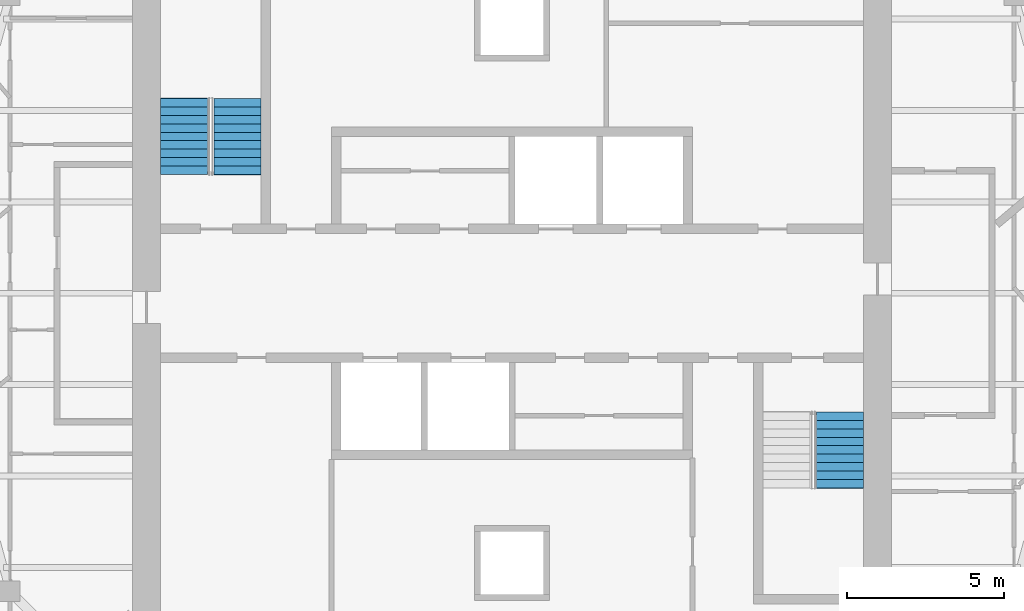
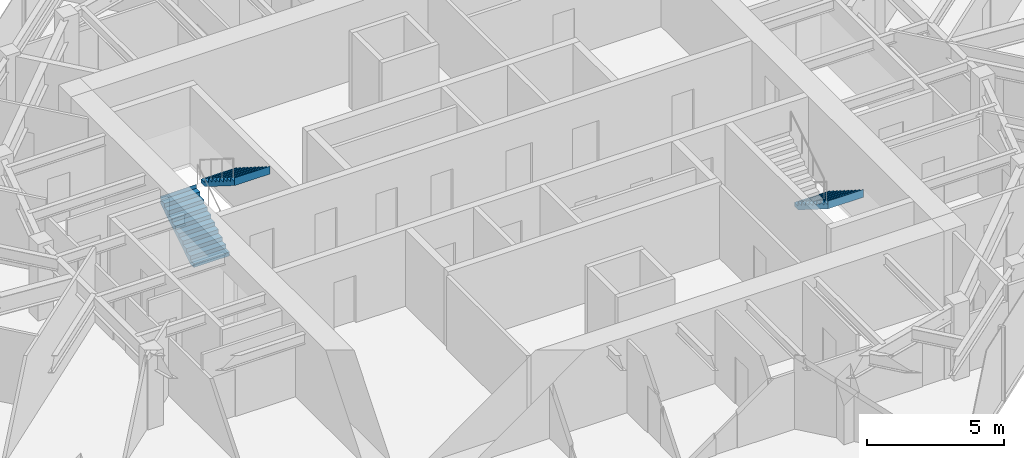
# One storey, part 11 of 12: 3 stair flights, 2 elements without a shape of their own.
"""IFC4 building model written with IfcOpenShell, lengths in metres."""

from ifc_helpers import new_model, si_unit, direction, frame, origin, place, context, subcontext, project, spatial, polyline, outline, extrude, material, type_object, element, aggregate, save


model = new_model("IFC4")

# Units and contexts
model_context = context("Model", 3, precision=1e-05, world=origin(), true_north=direction((0.0, 1.0)))
body_context = subcontext(model_context, "Body", "Model", "MODEL_VIEW")
ifc_project = project(units=[si_unit("LENGTHUNIT", "METRE"), si_unit("AREAUNIT", "SQUARE_METRE"), si_unit("VOLUMEUNIT", "CUBIC_METRE"), si_unit("PLANEANGLEUNIT", "RADIAN"), si_unit("MASSUNIT", "GRAM", prefix="KILO")], contexts=[model_context])

# Site, building, storey
site_placement = place(None, origin())
site = spatial("IfcSite", under=ifc_project, at=site_placement, CompositionType="ELEMENT")
building_placement = place(site_placement, origin())
building = spatial("IfcBuilding", under=site, at=building_placement, Name="Torsade Residences", CompositionType="ELEMENT")
storey_placement = place(building_placement, frame((0.0, 0.0, 282.800048828125)))
storey = spatial("IfcBuildingStorey", under=building, at=storey_placement, Name="L78", CompositionType="ELEMENT", Elevation=282.800048828125)

# Stair, stair flights
ifc_material_1 = material(Name="Precast concrete 40 MPa", Category="concrete")
stair_type = type_object("IfcStairType", Name="HALF-TURN FIRE STAIR 1500x3400", PredefinedType="HALF_TURN_STAIR", material=ifc_material_1)
stair_1_placement = place(storey_placement, origin())
stair_1 = element("IfcStair", 1, at=stair_1_placement, inside=storey, type_object=stair_type, Name="Stair ST1 L78", PredefinedType="HALF_TURN_STAIR")
ifc_material_2 = material(Name="Precast concrete 40 MPa", Category="concrete")
stair_flight_type = type_object("IfcStairFlightType", Name="PRECAST STAIR FLIGHT 1500x1700", PredefinedType="STRAIGHT", material=ifc_material_2)
stair_flight_1_placement = place(storey_placement, frame((29.550048828125, 33.780029296875, 0.0), z_axis=(0.0, 0.0, 1.0), x_axis=(0.0, 1.0, 0.0)))
stair_flight_1 = element("IfcStairFlight", 2, at=stair_flight_1_placement, type_object=stair_flight_type, Name="ST1 flight 1", NumberOfRisers=10, NumberOfTreads=9, PredefinedType="STRAIGHT", RiserHeight=0.17, TreadLength=0.27, context=body_context, shape_type="SweptSolid", body=[
    extrude(outline(polyline([(0.0, 0.0), (0.0, 0.169921875), (0.27001953125, 0.169921875), (0.27001953125, 0.340087890625), (0.5400390625, 0.340087890625), (0.5400390625, 0.510009765625), (0.81005859375, 0.510009765625), (0.81005859375, 0.679931640625), (1.080078125, 0.679931640625), (1.080078125, 0.85009765625), (1.35009765625, 0.85009765625), (1.35009765625, 1.02001953125), (1.6201171875, 1.02001953125), (1.6201171875, 1.18994140625), (1.889892578125, 1.18994140625), (1.889892578125, 1.360107421875), (2.159912109375, 1.360107421875), (2.159912109375, 1.530029296875), (2.429931640625, 1.530029296875), (2.429931640625, 1.699951171875), (2.43994140625, 1.699951171875), (2.43994140625, 1.352783203125), (2.429931640625, 1.352783203125), (0.28125, 0.0), (0.0, 0.0)])), frame((0.0, 0.75, 0.0), z_axis=(0.0, -1.0, 0.0), x_axis=(1.0, 0.0, 0.0)), (0.0, 0.0, 1.0), 1.5),
])
stair_flight_2_placement = place(storey_placement, frame((31.25, 36.2099609375, 1.699951171875), z_axis=(0.0, 0.0, 1.0), x_axis=(0.0, -1.0, 0.0)))
stair_flight_2 = element("IfcStairFlight", 3, at=stair_flight_2_placement, type_object=stair_flight_type, Name="ST1 flight 2", NumberOfRisers=10, NumberOfTreads=9, PredefinedType="STRAIGHT", RiserHeight=0.17, TreadLength=0.27, context=body_context, shape_type="SweptSolid", body=[
    extrude(outline(polyline([(0.0, 0.0), (0.0, 0.169921875), (0.27001953125, 0.169921875), (0.27001953125, 0.340087890625), (0.5400390625, 0.340087890625), (0.5400390625, 0.510009765625), (0.81005859375, 0.510009765625), (0.81005859375, 0.679931640625), (1.080078125, 0.679931640625), (1.080078125, 0.85009765625), (1.35009765625, 0.85009765625), (1.35009765625, 1.02001953125), (1.6201171875, 1.02001953125), (1.6201171875, 1.18994140625), (1.889892578125, 1.18994140625), (1.889892578125, 1.360107421875), (2.159912109375, 1.360107421875), (2.159912109375, 1.530029296875), (2.429931640625, 1.530029296875), (2.429931640625, 1.699951171875), (2.43994140625, 1.699951171875), (2.43994140625, 1.352783203125), (2.429931640625, 1.352783203125), (0.28125, 0.0), (0.0, 0.0)])), frame((0.0, 0.75, 0.0), z_axis=(0.0, -1.0, 0.0), x_axis=(1.0, 0.0, 0.0)), (0.0, 0.0, 1.0), 1.5),
])
aggregate(stair_1, [stair_flight_1, stair_flight_2])

# Stair, stair flight
stair_2_placement = place(storey_placement, origin())
stair_2 = element("IfcStair", 4, at=stair_2_placement, inside=storey, type_object=stair_type, Name="Stair ST2 L78", PredefinedType="HALF_TURN_STAIR")
stair_flight_3_placement = place(storey_placement, frame((50.449951171875, 26.219970703125, 0.0), z_axis=(0.0, 0.0, 1.0), x_axis=(0.0, -1.0, 0.0)))
stair_flight_3 = element("IfcStairFlight", 5, at=stair_flight_3_placement, type_object=stair_flight_type, Name="ST2 flight 1", NumberOfRisers=10, NumberOfTreads=9, PredefinedType="STRAIGHT", RiserHeight=0.17, TreadLength=0.27, context=body_context, shape_type="SweptSolid", body=[
    extrude(outline(polyline([(0.0, 0.0), (0.0, 0.169921875), (0.27001953125, 0.169921875), (0.27001953125, 0.340087890625), (0.5400390625, 0.340087890625), (0.5400390625, 0.510009765625), (0.81005859375, 0.510009765625), (0.81005859375, 0.679931640625), (1.080078125, 0.679931640625), (1.080078125, 0.85009765625), (1.35009765625, 0.85009765625), (1.35009765625, 1.02001953125), (1.6201171875, 1.02001953125), (1.6201171875, 1.18994140625), (1.889892578125, 1.18994140625), (1.889892578125, 1.360107421875), (2.159912109375, 1.360107421875), (2.159912109375, 1.530029296875), (2.429931640625, 1.530029296875), (2.429931640625, 1.699951171875), (2.43994140625, 1.699951171875), (2.43994140625, 1.352783203125), (2.429931640625, 1.352783203125), (0.28125, 0.0), (0.0, 0.0)])), frame((0.0, 0.75, 0.0), z_axis=(0.0, -1.0, 0.0), x_axis=(1.0, 0.0, 0.0)), (0.0, 0.0, 1.0), 1.5),
])
aggregate(stair_2, [stair_flight_3])

save(model, "model.ifc")
